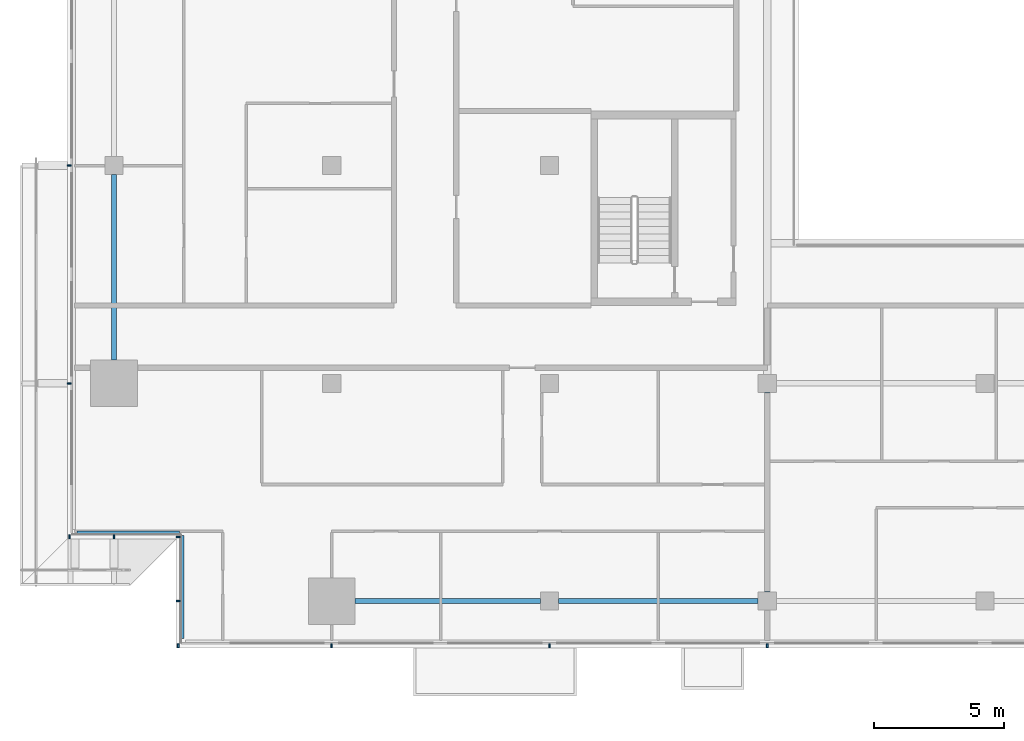
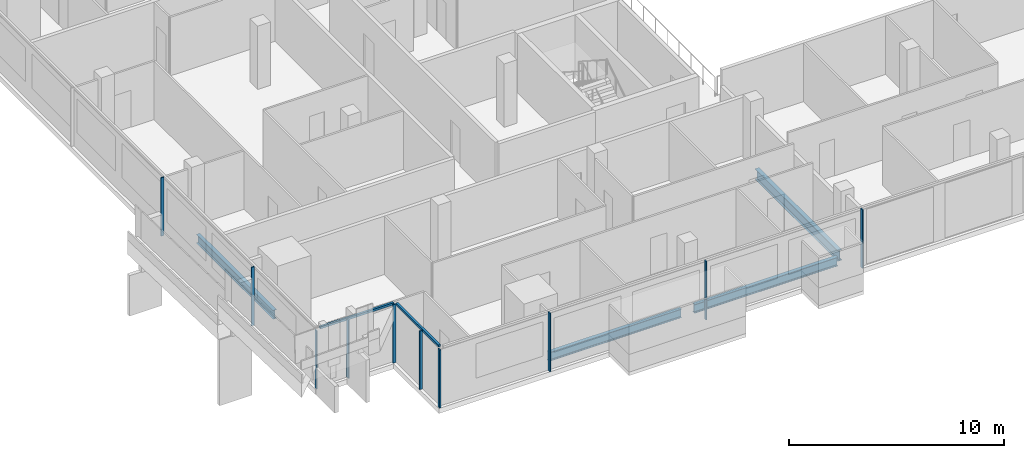
# One storey, part 2 of 30: 12 members, 4 beams, 4 elements without a shape of their own.
"""IFC4 building model written with IfcOpenShell, lengths in metres."""

from ifc_helpers import new_model, si_unit, direction, frame, origin, origin_2d, place, context, subcontext, project, spatial, rectangle, i_section, extrude, material, material_profile, profile_set, type_object, element, aggregate, save


model = new_model("IFC4")

# Units and contexts
model_context = context("Model", 3, precision=1e-05, world=origin(), true_north=direction((0.0, 1.0)))
body_context = subcontext(model_context, "Body", "Model", "MODEL_VIEW")
ifc_project = project(units=[si_unit("LENGTHUNIT", "METRE"), si_unit("AREAUNIT", "SQUARE_METRE"), si_unit("VOLUMEUNIT", "CUBIC_METRE"), si_unit("PLANEANGLEUNIT", "RADIAN"), si_unit("MASSUNIT", "GRAM", prefix="KILO")], contexts=[model_context])

# Site, building, storey
site_placement = place(None, origin())
site = spatial("IfcSite", under=ifc_project, at=site_placement, CompositionType="ELEMENT")
building_placement = place(site_placement, origin())
building = spatial("IfcBuilding", under=site, at=building_placement, Name="Saffron Gate Tower", CompositionType="ELEMENT")
storey_placement = place(building_placement, frame((0.0, 0.0, 165.449951171875)))
storey = spatial("IfcBuildingStorey", under=building, at=storey_placement, Name="L40", CompositionType="ELEMENT", Elevation=165.449951171875)

# Beams
ifc_material_1 = material(Name="Structural steel S355", Category="steel")
ifc_material_profile_1 = material_profile(ifc_material_1, i_section(OverallWidth=0.199951171875, OverallDepth=0.5, WebThickness=0.01025390625, FlangeThickness=0.01611328125, FilletRadius=0.02099609375, at=origin_2d()))
ifc_profile_set_1 = profile_set([ifc_material_profile_1], Name="Structural steel S355")
beam_type_1 = type_object("IfcBeamType", Name="B11 IPE 500", PredefinedType="SPANDREL", material=ifc_profile_set_1)
for number, where, z_axis, x_axis, name in (
    (1, (49.800048828125, 41.10009765625, -0.530029296875), (0.0, 1.0, 0.0), (-1.0, 0.0, 0.0), "B11 SPANDREL BEAM"),
    (2, (59.10009765625, 31.800048828125, -0.530029296875), (1.0, 0.0, 0.0), (0.0, 1.0, 0.0), "B11 SPANDREL BEAM"),
):
    element("IfcBeam", number, at=place(storey_placement, frame(where, z_axis=z_axis, x_axis=x_axis)), inside=storey, type_object=beam_type_1, Name=name, PredefinedType="SPANDREL", context=body_context, shape_type="SweptSolid", body=[
        extrude(i_section(OverallWidth=0.199951171875, OverallDepth=0.5, WebThickness=0.01025390625, FlangeThickness=0.01611328125, FilletRadius=0.02099609375, at=origin_2d()), origin(), (0.0, 0.0, 1.0), 7.14990234375),
    ])
beam_1_placement = place(storey_placement, frame((66.949951171875, 31.800048828125, -0.530029296875), z_axis=(1.0, 0.0, 0.0), x_axis=(0.0, 1.0, 0.0)))
element("IfcBeam", 3, at=beam_1_placement, inside=storey, type_object=beam_type_1, Name="B11 SPANDREL BEAM", PredefinedType="SPANDREL", context=body_context, shape_type="SweptSolid", body=[
    extrude(i_section(OverallWidth=0.199951171875, OverallDepth=0.5, WebThickness=0.01025390625, FlangeThickness=0.01611328125, FilletRadius=0.02099609375, at=origin_2d()), origin(), (0.0, 0.0, 1.0), 7.699951171875),
])
ifc_material_profile_2 = material_profile(ifc_material_1, i_section(OverallWidth=0.219970703125, OverallDepth=0.60009765625, WebThickness=0.011962890625, FlangeThickness=0.01904296875, FilletRadius=0.02392578125, at=origin_2d()))
ifc_profile_set_2 = profile_set([ifc_material_profile_2], Name="Structural steel S355")
beam_type_2 = type_object("IfcBeamType", Name="B15 IPE 600", PredefinedType="BEAM", material=ifc_profile_set_2)
beam_2_placement = place(storey_placement, frame((75.0, 32.14990234375, -0.579833984375), z_axis=(0.0, 1.0, 0.0), x_axis=(-1.0, 0.0, 0.0)))
element("IfcBeam", 4, at=beam_2_placement, inside=storey, type_object=beam_type_2, Name="B15 FLOOR GIRDER", PredefinedType="BEAM", context=body_context, shape_type="SweptSolid", body=[
    extrude(i_section(OverallWidth=0.219970703125, OverallDepth=0.60009765625, WebThickness=0.011962890625, FlangeThickness=0.01904296875, FilletRadius=0.02392578125, at=origin_2d()), origin(), (0.0, 0.0, 1.0), 7.7001953125),
])

# Curtain wall, members
ifc_material_2 = material(Name="Aluminium, bronze anodised", Category="aluminium")
curtain_wall_type_1 = type_object("IfcCurtainWallType", Name="CWS1 curtain wall front facade", PredefinedType="NOTDEFINED", material=ifc_material_2)
curtain_wall_1_placement = place(storey_placement, origin())
curtain_wall_1 = element("IfcCurtainWall", 5, at=curtain_wall_1_placement, inside=storey, type_object=curtain_wall_type_1, Name="CWS1 run 1", PredefinedType="NOTDEFINED")
ifc_material_profile_3 = material_profile(ifc_material_2, rectangle(XDim=0.159912109375, YDim=0.06005859375, at=origin_2d()))
ifc_profile_set_3 = profile_set([ifc_material_profile_3], Name="Aluminium, bronze anodised")
member_type_1 = type_object("IfcMemberType", Name="CWS1 mullion 60x160", PredefinedType="MULLION", material=ifc_profile_set_3)
member_1_placement = place(storey_placement, frame((52.280029296875, 30.080078125, 0.0), z_axis=(0.0, 0.0, 1.0), x_axis=(0.0, 1.0, 0.0)))
member_1 = element("IfcMember", 6, at=member_1_placement, type_object=member_type_1, Name="CWS1 mullion 1", PredefinedType="MULLION", context=body_context, shape_type="SweptSolid", body=[
    extrude(rectangle(XDim=0.159912109375, YDim=0.06005859375, at=origin_2d()), origin(), (0.0, 0.0, 1.0), 3.320068359375),
])
member_2_placement = place(storey_placement, frame((58.199951171875, 30.080078125, 0.0), z_axis=(0.0, 0.0, 1.0), x_axis=(0.0, 1.0, 0.0)))
member_2 = element("IfcMember", 7, at=member_2_placement, type_object=member_type_1, Name="CWS1 mullion 2", PredefinedType="MULLION", context=body_context, shape_type="SweptSolid", body=[
    extrude(rectangle(XDim=0.159912109375, YDim=0.06005859375, at=origin_2d()), origin(), (0.0, 0.0, 1.0), 3.320068359375),
])
member_3_placement = place(storey_placement, frame((66.60009765625, 30.080078125, 0.0), z_axis=(0.0, 0.0, 1.0), x_axis=(0.0, 1.0, 0.0)))
member_3 = element("IfcMember", 8, at=member_3_placement, type_object=member_type_1, Name="CWS1 mullion 3", PredefinedType="MULLION", context=body_context, shape_type="SweptSolid", body=[
    extrude(rectangle(XDim=0.159912109375, YDim=0.06005859375, at=origin_2d()), origin(), (0.0, 0.0, 1.0), 3.320068359375),
])
member_4_placement = place(storey_placement, frame((75.0, 30.080078125, 0.0), z_axis=(0.0, 0.0, 1.0), x_axis=(0.0, 1.0, 0.0)))
member_4 = element("IfcMember", 9, at=member_4_placement, type_object=member_type_1, Name="CWS1 mullion 4", PredefinedType="MULLION", context=body_context, shape_type="SweptSolid", body=[
    extrude(rectangle(XDim=0.159912109375, YDim=0.06005859375, at=origin_2d()), origin(), (0.0, 0.0, 1.0), 3.320068359375),
])
aggregate(curtain_wall_1, [member_1, member_2, member_3, member_4])

curtain_wall_type_2 = type_object("IfcCurtainWallType", Name="CWS2 curtain wall side facades", PredefinedType="NOTDEFINED", material=ifc_material_2)
curtain_wall_2_placement = place(storey_placement, origin())
curtain_wall_2 = element("IfcCurtainWall", 10, at=curtain_wall_2_placement, inside=storey, type_object=curtain_wall_type_2, Name="CWS2 run 10", PredefinedType="NOTDEFINED")
ifc_material_profile_4 = material_profile(ifc_material_2, rectangle(XDim=0.159912109375, YDim=0.06005859375, at=origin_2d()))
ifc_profile_set_4 = profile_set([ifc_material_profile_4], Name="Aluminium, bronze anodised")
member_type_2 = type_object("IfcMemberType", Name="CWS2 mullion 60x160", PredefinedType="MULLION", material=ifc_profile_set_4)
member_5_placement = place(storey_placement, frame((48.080078125, 48.60009765625, 0.0), z_axis=(0.0, 0.0, 1.0), x_axis=(1.0, 0.0, 0.0)))
member_5 = element("IfcMember", 11, at=member_5_placement, type_object=member_type_2, Name="CWS2 mullion 4", PredefinedType="MULLION", context=body_context, shape_type="SweptSolid", body=[
    extrude(rectangle(XDim=0.159912109375, YDim=0.06005859375, at=origin_2d()), origin(), (0.0, 0.0, 1.0), 3.320068359375),
])
member_6_placement = place(storey_placement, frame((48.080078125, 40.199951171875, 0.0), z_axis=(0.0, 0.0, 1.0), x_axis=(1.0, 0.0, 0.0)))
member_6 = element("IfcMember", 12, at=member_6_placement, type_object=member_type_2, Name="CWS2 mullion 5", PredefinedType="MULLION", context=body_context, shape_type="SweptSolid", body=[
    extrude(rectangle(XDim=0.159912109375, YDim=0.06005859375, at=origin_2d()), origin(), (0.0, 0.0, 1.0), 3.320068359375),
])
aggregate(curtain_wall_2, [member_5, member_6])

# Curtain wall, member
curtain_wall_type_3 = type_object("IfcCurtainWallType", Name="CWS4 curtain wall corner returns", PredefinedType="NOTDEFINED", material=ifc_material_2)
curtain_wall_3_placement = place(storey_placement, origin())
curtain_wall_3 = element("IfcCurtainWall", 13, at=curtain_wall_3_placement, inside=storey, type_object=curtain_wall_type_3, Name="CWS4 run 11", PredefinedType="NOTDEFINED")
ifc_material_profile_5 = material_profile(ifc_material_2, rectangle(XDim=0.1201171875, YDim=0.1201171875, at=origin_2d()))
ifc_profile_set_5 = profile_set([ifc_material_profile_5], Name="Aluminium, bronze anodised")
member_type_3 = type_object("IfcMemberType", Name="CWS4 head transom", PredefinedType="USERDEFINED", material=ifc_profile_set_5)
member_7_placement = place(storey_placement, frame((48.367919921875, 34.447998046875, 3.260009765625), z_axis=(1.0, 0.0, 0.0), x_axis=(0.0, 1.0, 0.0)))
member_7 = element("IfcMember", 14, at=member_7_placement, type_object=member_type_3, Name="CWS4 head transom", ObjectType="TRANSOM", PredefinedType="USERDEFINED", context=body_context, shape_type="SweptSolid", body=[
    extrude(rectangle(XDim=0.1201171875, YDim=0.1201171875, at=origin_2d()), origin(), (0.0, 0.0, 1.0), 3.9599609375),
])

curtain_wall_4_placement = place(storey_placement, origin())
curtain_wall_4 = element("IfcCurtainWall", 15, at=curtain_wall_4_placement, inside=storey, type_object=curtain_wall_type_3, Name="CWS4 run 12", PredefinedType="NOTDEFINED")
member_8_placement = place(storey_placement, frame((52.447998046875, 34.327880859375, 3.260009765625), z_axis=(0.0, -1.0, 0.0), x_axis=(1.0, 0.0, 0.0)))
member_8 = element("IfcMember", 16, at=member_8_placement, type_object=member_type_3, Name="CWS4 head transom", ObjectType="TRANSOM", PredefinedType="USERDEFINED", context=body_context, shape_type="SweptSolid", body=[
    extrude(rectangle(XDim=0.1201171875, YDim=0.1201171875, at=origin_2d()), origin(), (0.0, 0.0, 1.0), 3.9599609375),
])

# Member
ifc_material_profile_6 = material_profile(ifc_material_2, rectangle(XDim=0.159912109375, YDim=0.06005859375, at=origin_2d()))
ifc_profile_set_6 = profile_set([ifc_material_profile_6], Name="Aluminium, bronze anodised")
member_type_4 = type_object("IfcMemberType", Name="CWS4 mullion 60x160", PredefinedType="MULLION", material=ifc_profile_set_6)
member_9_placement = place(storey_placement, frame((48.080078125, 34.280029296875, 0.0), z_axis=(0.0, 0.0, 1.0), x_axis=(0.0, 1.0, 0.0)))
member_9 = element("IfcMember", 17, at=member_9_placement, type_object=member_type_4, Name="CWS4 mullion 1", PredefinedType="MULLION", context=body_context, shape_type="SweptSolid", body=[
    extrude(rectangle(XDim=0.159912109375, YDim=0.06005859375, at=origin_2d()), origin(), (0.0, 0.0, 1.0), 3.320068359375),
])

member_10_placement = place(storey_placement, frame((49.800048828125, 34.280029296875, 0.0), z_axis=(0.0, 0.0, 1.0), x_axis=(0.0, 1.0, 0.0)))
member_10 = element("IfcMember", 18, at=member_10_placement, type_object=member_type_4, Name="CWS4 mullion 2", PredefinedType="MULLION", context=body_context, shape_type="SweptSolid", body=[
    extrude(rectangle(XDim=0.159912109375, YDim=0.06005859375, at=origin_2d()), origin(), (0.0, 0.0, 1.0), 3.320068359375),
])

aggregate(curtain_wall_3, [member_9, member_10, member_7])

member_11_placement = place(storey_placement, frame((52.280029296875, 34.280029296875, 0.0), z_axis=(0.0, 0.0, 1.0), x_axis=(1.0, 0.0, 0.0)))
member_11 = element("IfcMember", 19, at=member_11_placement, type_object=member_type_4, Name="CWS4 mullion 1", PredefinedType="MULLION", context=body_context, shape_type="SweptSolid", body=[
    extrude(rectangle(XDim=0.159912109375, YDim=0.06005859375, at=origin_2d()), origin(), (0.0, 0.0, 1.0), 3.320068359375),
])

member_12_placement = place(storey_placement, frame((52.280029296875, 31.800048828125, 0.0), z_axis=(0.0, 0.0, 1.0), x_axis=(1.0, 0.0, 0.0)))
member_12 = element("IfcMember", 20, at=member_12_placement, type_object=member_type_4, Name="CWS4 mullion 2", PredefinedType="MULLION", context=body_context, shape_type="SweptSolid", body=[
    extrude(rectangle(XDim=0.159912109375, YDim=0.06005859375, at=origin_2d()), origin(), (0.0, 0.0, 1.0), 3.320068359375),
])

aggregate(curtain_wall_4, [member_11, member_12, member_8])

save(model, "model.ifc")
